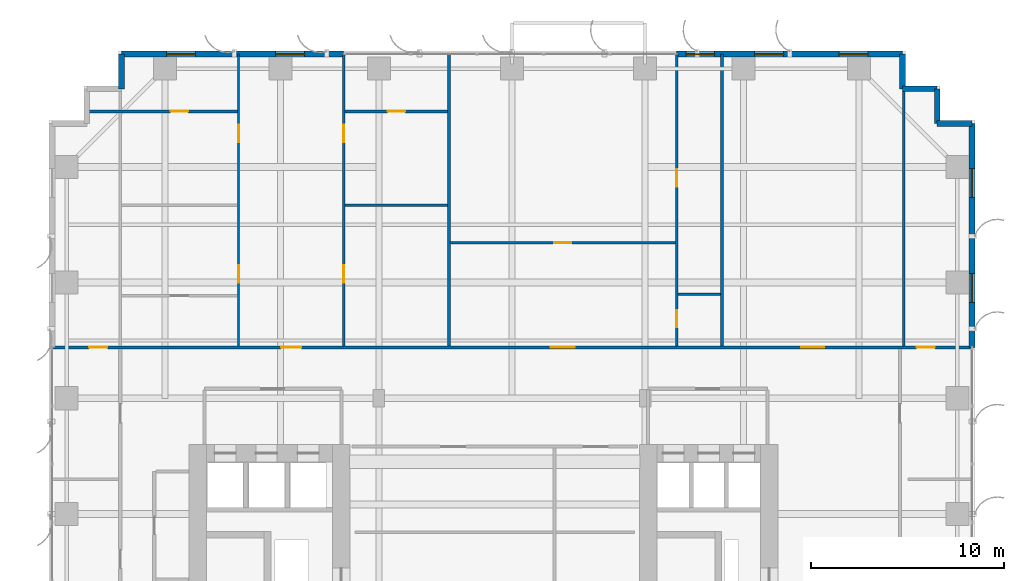
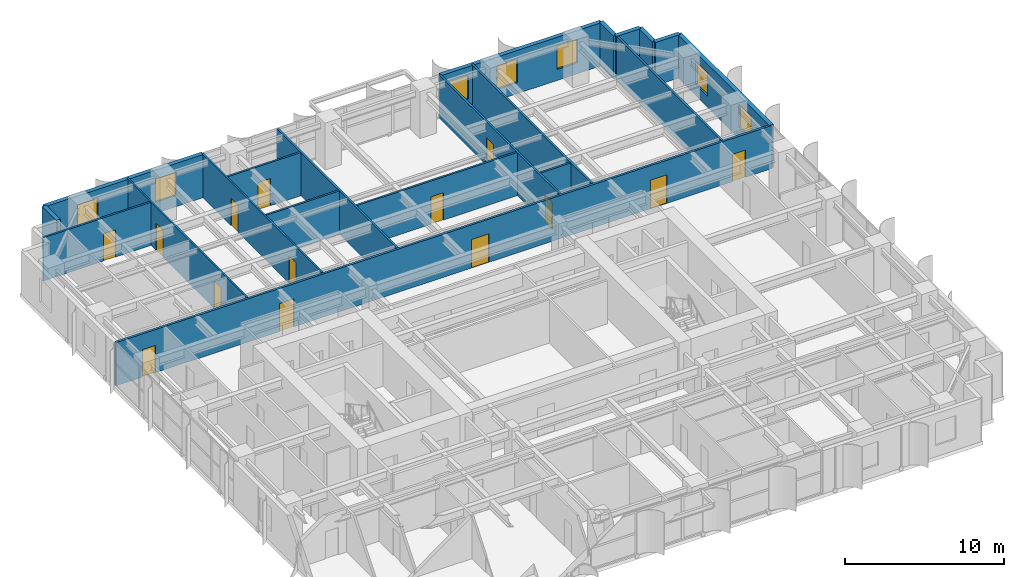
# One storey, part 20 of 25: 20 walls, 14 doors, 7 windows, 21 openings.
"""IFC4 building model written with IfcOpenShell, lengths in metres."""

from ifc_helpers import new_model, si_unit, direction, frame, frame_2d, origin, place, context, subcontext, project, spatial, rectangle, extrude, source, transform, mapped, material, layer, layer_set, type_object, element, fill, save


model = new_model("IFC4")

# Units and contexts
model_context = context("Model", 3, precision=1e-05, world=origin(), true_north=direction((0.0, 1.0)))
body_context = subcontext(model_context, "Body", "Model", "MODEL_VIEW")
ifc_project = project(units=[si_unit("LENGTHUNIT", "METRE"), si_unit("AREAUNIT", "SQUARE_METRE"), si_unit("VOLUMEUNIT", "CUBIC_METRE"), si_unit("PLANEANGLEUNIT", "RADIAN"), si_unit("MASSUNIT", "GRAM", prefix="KILO")], contexts=[model_context])

# Site, building, storey
site_placement = place(None, origin())
site = spatial("IfcSite", under=ifc_project, at=site_placement, CompositionType="ELEMENT")
building_placement = place(site_placement, origin())
building = spatial("IfcBuilding", under=site, at=building_placement, Name="Khoralis Quay Care Tower", CompositionType="ELEMENT")
storey_placement = place(building_placement, frame((0.0, 0.0, 65.699951171875)))
storey = spatial("IfcBuildingStorey", under=building, at=storey_placement, Name="L17", CompositionType="ELEMENT", Elevation=65.699951171875)

# Wall, openings, doors
ifc_material_1 = material(Name="Gypsum plasterboard on acoustic metal stud")
ifc_layer_1 = layer(ifc_material_1, 0.1650390625)
ifc_layer_set_1 = layer_set([ifc_layer_1], Name="Gypsum plasterboard on acoustic metal stud")
wall_type_1 = type_object("IfcWallType", Name="WL-CORR-165", PredefinedType="PARTITIONING", material=ifc_layer_set_1)
wall_1_placement = place(storey_placement, frame((0.14501953125, 32.639892578125, 0.0), z_axis=(0.0, 0.0, 1.0), x_axis=(1.0, 0.0, 0.0)))
wall_1 = element("IfcWall", 1, at=wall_1_placement, inside=storey, type_object=wall_type_1, Name="L17 North Main Corridor Wall", PredefinedType="PARTITIONING", context=body_context, shape_type="SweptSolid", body=[
    extrude(rectangle(XDim=47.7099609375, YDim=0.1650390625, at=frame_2d((23.85498046875, 0.0))), origin(), (0.0, 0.0, 1.0), 3.320068359375),
])
opening_1_placement = place(wall_1_placement, frame((11.8759765625, 0.0, 0.0)))
opening_1 = element("IfcOpeningElement", 2, at=opening_1_placement, cuts=wall_1, Name="Opening UD1", PredefinedType="OPENING", context=body_context, shape_type="SweptSolid", body=[
    extrude(rectangle(XDim=1.050048828125, YDim=2.14990234375, at=frame_2d((0.52490234375, 1.074951171875))), frame((0.0, 0.092529296875, 0.0), z_axis=(0.0, -1.0, 0.0), x_axis=(1.0, 0.0, 0.0)), (0.0, 0.0, 1.0), 0.18505859375),
])
opening_2_placement = place(wall_1_placement, frame((25.864990234375, 0.0, 0.0)))
opening_2 = element("IfcOpeningElement", 3, at=opening_2_placement, cuts=wall_1, Name="Opening CD1", PredefinedType="OPENING", context=body_context, shape_type="SweptSolid", body=[
    extrude(rectangle(XDim=1.25, YDim=2.199951171875, at=frame_2d((0.625, 1.10009765625))), frame((0.0, 0.092529296875, 0.0), z_axis=(0.0, -1.0, 0.0), x_axis=(1.0, 0.0, 0.0)), (0.0, 0.0, 1.0), 0.18505859375),
])
opening_3_placement = place(wall_1_placement, frame((38.860107421875, 0.0, 0.0)))
opening_3 = element("IfcOpeningElement", 4, at=opening_3_placement, cuts=wall_1, Name="Opening FD1", PredefinedType="OPENING", context=body_context, shape_type="SweptSolid", body=[
    extrude(rectangle(XDim=1.199951171875, YDim=2.199951171875, at=frame_2d((0.60009765625, 1.10009765625))), frame((0.0, 0.092529296875, 0.0), z_axis=(0.0, -1.0, 0.0), x_axis=(1.0, 0.0, 0.0)), (0.0, 0.0, 1.0), 0.18505859375),
])
opening_4_placement = place(wall_1_placement, frame((1.919921875, 0.0, 0.0)))
opening_4 = element("IfcOpeningElement", 5, at=opening_4_placement, cuts=wall_1, Name="Opening ID1", PredefinedType="OPENING", context=body_context, shape_type="SweptSolid", body=[
    extrude(rectangle(XDim=0.949951171875, YDim=2.10009765625, at=frame_2d((0.47509765625, 1.050048828125))), frame((0.0, 0.092529296875, 0.0), z_axis=(0.0, -1.0, 0.0), x_axis=(1.0, 0.0, 0.0)), (0.0, 0.0, 1.0), 0.18505859375),
])
opening_5_placement = place(wall_1_placement, frame((44.840087890625, 0.0, 0.0)))
opening_5 = element("IfcOpeningElement", 6, at=opening_5_placement, cuts=wall_1, Name="Opening ID1", PredefinedType="OPENING", context=body_context, shape_type="SweptSolid", body=[
    extrude(rectangle(XDim=0.949951171875, YDim=2.10009765625, at=frame_2d((0.47509765625, 1.050048828125))), frame((0.0, 0.092529296875, 0.0), z_axis=(0.0, -1.0, 0.0), x_axis=(1.0, 0.0, 0.0)), (0.0, 0.0, 1.0), 0.18505859375),
])
ifc_material_2 = material(Name="Fire-rated painted steel", Category="steel")
door_type_1 = type_object("IfcDoorType", Name="DR-FFL-1200X2200", OperationType="NOTDEFINED", PredefinedType="DOOR", material=ifc_material_2)
shared_shape_1 = source(origin(), body_context, "Body", "SweptSolid", [
    extrude(rectangle(XDim=1.199951171875, YDim=2.199951171875, at=frame_2d((0.60009765625, 1.10009765625))), frame((0.0, 0.02490234375, 0.0), z_axis=(0.0, -1.0, 0.0), x_axis=(1.0, 0.0, 0.0)), (0.0, 0.0, 1.0), 0.050048828125),
])
door_1_placement = place(opening_3_placement, origin())
door_1 = element("IfcDoor", 7, at=door_1_placement, inside=storey, type_object=door_type_1, Name="L17 Resident Communal Day Lounge Door", OperationType="DOUBLE_DOOR_SINGLE_SWING", OverallHeight=2.199951171875, OverallWidth=1.199951171875, PredefinedType="DOOR", context=body_context, shape_type="MappedRepresentation", body=[
    mapped(shared_shape_1, transform((0.0, 0.0, 0.0), scale=1.0)),
])
fill(opening_3, door_1)
ifc_material_3 = material(Name="Acoustic hardwood timber", Category="wood")
door_type_2 = type_object("IfcDoorType", Name="DR-CARE-1250X2200", OperationType="NOTDEFINED", PredefinedType="DOOR", material=ifc_material_3)
shared_shape_2 = source(origin(), body_context, "Body", "SweptSolid", [
    extrude(rectangle(XDim=1.25, YDim=2.199951171875, at=frame_2d((0.625, 1.10009765625))), frame((0.0, 0.02490234375, 0.0), z_axis=(0.0, -1.0, 0.0), x_axis=(1.0, 0.0, 0.0)), (0.0, 0.0, 1.0), 0.050048828125),
])
door_2_placement = place(opening_2_placement, origin())
door_2 = element("IfcDoor", 8, at=door_2_placement, inside=storey, type_object=door_type_2, Name="L17 Care Suite NB1 Clinical Door", OperationType="SINGLE_SWING_RIGHT", OverallHeight=2.199951171875, OverallWidth=1.25, PredefinedType="DOOR", context=body_context, shape_type="MappedRepresentation", body=[
    mapped(shared_shape_2, transform((0.0, 0.0, 0.0), scale=1.0)),
])
fill(opening_2, door_2)
door_type_3 = type_object("IfcDoorType", Name="DR-ROOM-950X2100", OperationType="NOTDEFINED", PredefinedType="DOOR", material=ifc_material_3)
shared_shape_3 = source(origin(), body_context, "Body", "SweptSolid", [
    extrude(rectangle(XDim=0.949951171875, YDim=2.10009765625, at=frame_2d((0.47509765625, 1.050048828125))), frame((0.0, 0.02490234375, 0.0), z_axis=(0.0, -1.0, 0.0), x_axis=(1.0, 0.0, 0.0)), (0.0, 0.0, 1.0), 0.050048828125),
])
door_3_placement = place(opening_4_placement, origin())
door_3 = element("IfcDoor", 9, at=door_3_placement, inside=storey, type_object=door_type_3, Name="L17 NW Corner Door", OperationType="SINGLE_SWING_RIGHT", OverallHeight=2.10009765625, OverallWidth=0.949951171875, PredefinedType="DOOR", context=body_context, shape_type="MappedRepresentation", body=[
    mapped(shared_shape_3, transform((0.0, 0.0, 0.0), scale=1.0)),
])
fill(opening_4, door_3)
door_4_placement = place(opening_5_placement, origin())
door_4 = element("IfcDoor", 10, at=door_4_placement, inside=storey, type_object=door_type_3, Name="L17 NE Corner Door", OperationType="SINGLE_SWING_LEFT", OverallHeight=2.10009765625, OverallWidth=0.949951171875, PredefinedType="DOOR", context=body_context, shape_type="MappedRepresentation", body=[
    mapped(shared_shape_3, transform((0.0, 0.0, 0.0), scale=1.0)),
])
fill(opening_5, door_4)
door_type_4 = type_object("IfcDoorType", Name="DR-SUITE-1050X2150", OperationType="NOTDEFINED", PredefinedType="DOOR", material=ifc_material_3)
shared_shape_4 = source(origin(), body_context, "Body", "SweptSolid", [
    extrude(rectangle(XDim=1.050048828125, YDim=2.14990234375, at=frame_2d((0.52490234375, 1.074951171875))), frame((0.0, 0.02490234375, 0.0), z_axis=(0.0, -1.0, 0.0), x_axis=(1.0, 0.0, 0.0)), (0.0, 0.0, 1.0), 0.050048828125),
])
door_5_placement = place(opening_1_placement, origin())
door_5 = element("IfcDoor", 11, at=door_5_placement, inside=storey, type_object=door_type_4, Name="L17 2BR NB0 Entrance", OperationType="SINGLE_SWING_LEFT", OverallHeight=2.14990234375, OverallWidth=1.050048828125, PredefinedType="DOOR", context=body_context, shape_type="MappedRepresentation", body=[
    mapped(shared_shape_4, transform((0.0, 0.0, 0.0), scale=1.0)),
])
fill(opening_1, door_5)

# Wall, openings, windows
ifc_material_4 = material(Name="Precast concrete C45/55", Category="concrete")
ifc_layer_2 = layer(ifc_material_4, 0.300048828125)
ifc_layer_set_2 = layer_set([ifc_layer_2], Name="Precast concrete C45/55")
wall_type_2 = type_object("IfcWallType", Name="WL-EXT-REF-300", PredefinedType="SOLIDWALL", material=ifc_layer_set_2)
wall_2_placement = place(storey_placement, frame((47.85009765625, 32.639892578125, 0.0), z_axis=(0.0, 0.0, 1.0), x_axis=(0.0, 1.0, 0.0)))
wall_2 = element("IfcWall", 12, at=wall_2_placement, inside=storey, type_object=wall_type_2, Name="L17 External Facade Wall WL-EXT-L17-P1-E5B", PredefinedType="SOLIDWALL", context=body_context, shape_type="SweptSolid", body=[
    extrude(rectangle(XDim=11.610107421875, YDim=0.300048828125, at=frame_2d((5.80517578125, 0.0))), origin(), (0.0, 0.0, 1.0), 3.320068359375),
])
opening_6_placement = place(wall_2_placement, frame((2.33251953125, 0.0, 0.85009765625)))
opening_6 = element("IfcOpeningElement", 13, at=opening_6_placement, cuts=wall_2, Name="Opening W3", PredefinedType="OPENING", context=body_context, shape_type="SweptSolid", body=[
    extrude(rectangle(XDim=1.5, YDim=1.800048828125, at=frame_2d((0.75, 0.89990234375))), frame((0.0, 0.16015625, 0.0), z_axis=(0.0, -1.0, 0.0), x_axis=(1.0, 0.0, 0.0)), (0.0, 0.0, 1.0), 0.320068359375),
])
opening_7_placement = place(wall_2_placement, frame((7.777587890625, 0.0, 0.85009765625)))
opening_7 = element("IfcOpeningElement", 14, at=opening_7_placement, cuts=wall_2, Name="Opening W3", PredefinedType="OPENING", context=body_context, shape_type="SweptSolid", body=[
    extrude(rectangle(XDim=1.5, YDim=1.800048828125, at=frame_2d((0.75, 0.89990234375))), frame((0.0, 0.16015625, 0.0), z_axis=(0.0, -1.0, 0.0), x_axis=(1.0, 0.0, 0.0)), (0.0, 0.0, 1.0), 0.320068359375),
])
ifc_material_5 = material(Name="Low-E solar-control double glazing", Category="glass")
window_type = type_object("IfcWindowType", Name="WN-CLIN-1500X1800", PartitioningType="SINGLE_PANEL", PredefinedType="WINDOW", material=ifc_material_5)
shared_shape_5 = source(origin(), body_context, "Body", "SweptSolid", [
    extrude(rectangle(XDim=1.5, YDim=1.800048828125, at=frame_2d((0.75, 0.89990234375))), frame((0.0, 0.030029296875, 0.0), z_axis=(0.0, -1.0, 0.0), x_axis=(1.0, 0.0, 0.0)), (0.0, 0.0, 1.0), 0.06005859375),
])
window_1_placement = place(opening_6_placement, origin())
window_1 = element("IfcWindow", 15, at=window_1_placement, inside=storey, type_object=window_type, Name="WN-L17-P1-E5B Facade Window 01", OverallHeight=1.800048828125, OverallWidth=1.5, PartitioningType="SINGLE_PANEL", PredefinedType="WINDOW", context=body_context, shape_type="MappedRepresentation", body=[
    mapped(shared_shape_5, transform((0.0, 0.0, 0.0), scale=1.0)),
])
fill(opening_6, window_1)
window_2_placement = place(opening_7_placement, origin())
window_2 = element("IfcWindow", 16, at=window_2_placement, inside=storey, type_object=window_type, Name="WN-L17-P1-E5B Facade Window 02", OverallHeight=1.800048828125, OverallWidth=1.5, PartitioningType="SINGLE_PANEL", PredefinedType="WINDOW", context=body_context, shape_type="MappedRepresentation", body=[
    mapped(shared_shape_5, transform((0.0, 0.0, 0.0), scale=1.0)),
])
fill(opening_7, window_2)

# Walls
for number, where, z_axis, x_axis, name in (
    (17, (47.85009765625, 44.25, 0.0), (0.0, 0.0, 1.0), (-1.0, 0.0, 0.0), "L17 External Facade Wall WL-EXT-L17-P1-C6"),
    (18, (46.050048828125, 44.25, 0.0), (0.0, 0.0, 1.0), (0.0, 1.0, 0.0), "L17 External Facade Wall WL-EXT-L17-P1-C7"),
    (19, (46.050048828125, 46.050048828125, 0.0), (0.0, 0.0, 1.0), (-1.0, 0.0, 0.0), "L17 External Facade Wall WL-EXT-L17-P1-C8"),
    (20, (44.25, 46.050048828125, 0.0), (0.0, 0.0, 1.0), (0.0, 1.0, 0.0), "L17 External Facade Wall WL-EXT-L17-P1-C9"),
):
    element("IfcWall", number, at=place(storey_placement, frame(where, z_axis=z_axis, x_axis=x_axis)), inside=storey, type_object=wall_type_2, Name=name, PredefinedType="SOLIDWALL", context=body_context, shape_type="SweptSolid", body=[
        extrude(rectangle(XDim=1.800048828125, YDim=0.300048828125, at=frame_2d((0.89990234375, 0.0))), origin(), (0.0, 0.0, 1.0), 3.320068359375),
    ])

# Wall, openings, windows
wall_3_placement = place(storey_placement, frame((44.25, 47.85009765625, 0.0), z_axis=(0.0, 0.0, 1.0), x_axis=(-1.0, 0.0, 0.0)))
wall_3 = element("IfcWall", 21, at=wall_3_placement, inside=storey, type_object=wall_type_2, Name="L17 External Facade Wall WL-EXT-L17-P1-E10A", PredefinedType="SOLIDWALL", context=body_context, shape_type="SweptSolid", body=[
    extrude(rectangle(XDim=11.7099609375, YDim=0.300048828125, at=frame_2d((5.85498046875, 0.0))), origin(), (0.0, 0.0, 1.0), 3.320068359375),
])
opening_8_placement = place(wall_3_placement, frame((1.794921875, 0.0, 0.85009765625)))
opening_8 = element("IfcOpeningElement", 22, at=opening_8_placement, cuts=wall_3, Name="Opening W3", PredefinedType="OPENING", context=body_context, shape_type="SweptSolid", body=[
    extrude(rectangle(XDim=1.5, YDim=1.800048828125, at=frame_2d((0.75, 0.89990234375))), frame((0.0, 0.16015625, 0.0), z_axis=(0.0, -1.0, 0.0), x_axis=(1.0, 0.0, 0.0)), (0.0, 0.0, 1.0), 0.320068359375),
])
opening_9_placement = place(wall_3_placement, frame((6.1650390625, 0.0, 0.85009765625)))
opening_9 = element("IfcOpeningElement", 23, at=opening_9_placement, cuts=wall_3, Name="Opening W3", PredefinedType="OPENING", context=body_context, shape_type="SweptSolid", body=[
    extrude(rectangle(XDim=1.5, YDim=1.800048828125, at=frame_2d((0.75, 0.89990234375))), frame((0.0, 0.16015625, 0.0), z_axis=(0.0, -1.0, 0.0), x_axis=(1.0, 0.0, 0.0)), (0.0, 0.0, 1.0), 0.320068359375),
])
opening_10_placement = place(wall_3_placement, frame((9.735107421875, 0.0, 0.85009765625)))
opening_10 = element("IfcOpeningElement", 24, at=opening_10_placement, cuts=wall_3, Name="Opening W3", PredefinedType="OPENING", context=body_context, shape_type="SweptSolid", body=[
    extrude(rectangle(XDim=1.5, YDim=1.800048828125, at=frame_2d((0.75, 0.89990234375))), frame((0.0, 0.16015625, 0.0), z_axis=(0.0, -1.0, 0.0), x_axis=(1.0, 0.0, 0.0)), (0.0, 0.0, 1.0), 0.320068359375),
])
window_3_placement = place(opening_8_placement, origin())
window_3 = element("IfcWindow", 25, at=window_3_placement, inside=storey, type_object=window_type, Name="WN-L17-P1-E10A Facade Window 01", OverallHeight=1.800048828125, OverallWidth=1.5, PartitioningType="SINGLE_PANEL", PredefinedType="WINDOW", context=body_context, shape_type="MappedRepresentation", body=[
    mapped(shared_shape_5, transform((0.0, 0.0, 0.0), scale=1.0)),
])
fill(opening_8, window_3)
window_4_placement = place(opening_9_placement, origin())
window_4 = element("IfcWindow", 26, at=window_4_placement, inside=storey, type_object=window_type, Name="WN-L17-P1-E10A Facade Window 02", OverallHeight=1.800048828125, OverallWidth=1.5, PartitioningType="SINGLE_PANEL", PredefinedType="WINDOW", context=body_context, shape_type="MappedRepresentation", body=[
    mapped(shared_shape_5, transform((0.0, 0.0, 0.0), scale=1.0)),
])
fill(opening_9, window_4)
window_5_placement = place(opening_10_placement, origin())
window_5 = element("IfcWindow", 27, at=window_5_placement, inside=storey, type_object=window_type, Name="WN-L17-P1-E10A Facade Window 03", OverallHeight=1.800048828125, OverallWidth=1.5, PartitioningType="SINGLE_PANEL", PredefinedType="WINDOW", context=body_context, shape_type="MappedRepresentation", body=[
    mapped(shared_shape_5, transform((0.0, 0.0, 0.0), scale=1.0)),
])
fill(opening_10, window_5)

wall_4_placement = place(storey_placement, frame((15.27392578125, 47.85009765625, 0.0), z_axis=(0.0, 0.0, 1.0), x_axis=(-1.0, 0.0, 0.0)))
wall_4 = element("IfcWall", 28, at=wall_4_placement, inside=storey, type_object=wall_type_2, Name="L17 External Facade Wall WL-EXT-L17-P1-E10B", PredefinedType="SOLIDWALL", context=body_context, shape_type="SweptSolid", body=[
    extrude(rectangle(XDim=11.52392578125, YDim=0.300048828125, at=frame_2d((5.761962890625, 0.0))), origin(), (0.0, 0.0, 1.0), 3.320068359375),
])
opening_11_placement = place(wall_4_placement, frame((2.028076171875, 0.0, 0.85009765625)))
opening_11 = element("IfcOpeningElement", 29, at=opening_11_placement, cuts=wall_4, Name="Opening W3", PredefinedType="OPENING", context=body_context, shape_type="SweptSolid", body=[
    extrude(rectangle(XDim=1.5, YDim=1.800048828125, at=frame_2d((0.75, 0.89990234375))), frame((0.0, 0.16015625, 0.0), z_axis=(0.0, -1.0, 0.0), x_axis=(1.0, 0.0, 0.0)), (0.0, 0.0, 1.0), 0.320068359375),
])
opening_12_placement = place(wall_4_placement, frame((7.68994140625, 0.0, 0.85009765625)))
opening_12 = element("IfcOpeningElement", 30, at=opening_12_placement, cuts=wall_4, Name="Opening W3", PredefinedType="OPENING", context=body_context, shape_type="SweptSolid", body=[
    extrude(rectangle(XDim=1.5, YDim=1.800048828125, at=frame_2d((0.75, 0.89990234375))), frame((0.0, 0.16015625, 0.0), z_axis=(0.0, -1.0, 0.0), x_axis=(1.0, 0.0, 0.0)), (0.0, 0.0, 1.0), 0.320068359375),
])
window_6_placement = place(opening_11_placement, origin())
window_6 = element("IfcWindow", 31, at=window_6_placement, inside=storey, type_object=window_type, Name="WN-L17-P1-E10B Facade Window 01", OverallHeight=1.800048828125, OverallWidth=1.5, PartitioningType="SINGLE_PANEL", PredefinedType="WINDOW", context=body_context, shape_type="MappedRepresentation", body=[
    mapped(shared_shape_5, transform((0.0, 0.0, 0.0), scale=1.0)),
])
fill(opening_11, window_6)
window_7_placement = place(opening_12_placement, origin())
window_7 = element("IfcWindow", 32, at=window_7_placement, inside=storey, type_object=window_type, Name="WN-L17-P1-E10B Facade Window 02", OverallHeight=1.800048828125, OverallWidth=1.5, PartitioningType="SINGLE_PANEL", PredefinedType="WINDOW", context=body_context, shape_type="MappedRepresentation", body=[
    mapped(shared_shape_5, transform((0.0, 0.0, 0.0), scale=1.0)),
])
fill(opening_12, window_7)

# Wall
wall_5_placement = place(storey_placement, frame((3.75, 47.85009765625, 0.0), z_axis=(0.0, 0.0, 1.0), x_axis=(0.0, -1.0, 0.0)))
element("IfcWall", 33, at=wall_5_placement, inside=storey, type_object=wall_type_2, Name="L17 External Facade Wall WL-EXT-L17-P1-C11", PredefinedType="SOLIDWALL", context=body_context, shape_type="SweptSolid", body=[
    extrude(rectangle(XDim=1.800048828125, YDim=0.300048828125, at=frame_2d((0.89990234375, 0.0))), origin(), (0.0, 0.0, 1.0), 3.320068359375),
])

# Wall, openings, doors
ifc_layer_3 = layer(ifc_material_1, 0.114990234375)
ifc_layer_set_3 = layer_set([ifc_layer_3], Name="Gypsum plasterboard on acoustic metal stud")
wall_type_3 = type_object("IfcWallType", Name="WL-PART-115", PredefinedType="PARTITIONING", material=ifc_layer_set_3)
wall_6_placement = place(storey_placement, frame((9.818115234375, 32.717529296875, 0.0), z_axis=(0.0, 0.0, 1.0), x_axis=(0.0, 1.0, 0.0)))
wall_6 = element("IfcWall", 34, at=wall_6_placement, inside=storey, type_object=wall_type_3, Name="L17 2BR 0 Left Wall", PredefinedType="PARTITIONING", context=body_context, shape_type="SweptSolid", body=[
    extrude(rectangle(XDim=15.137451171875, YDim=0.114990234375, at=frame_2d((7.56884765625, 0.0))), origin(), (0.0, 0.0, 1.0), 3.320068359375),
])
opening_13_placement = place(wall_6_placement, frame((10.56396484375, 0.0, 0.0)))
opening_13 = element("IfcOpeningElement", 35, at=opening_13_placement, cuts=wall_6, Name="Opening WD1", PredefinedType="OPENING", context=body_context, shape_type="SweptSolid", body=[
    extrude(rectangle(XDim=0.89990234375, YDim=2.10009765625, at=frame_2d((0.449951171875, 1.050048828125))), frame((0.0, 0.0673828125, 0.0), z_axis=(0.0, -1.0, 0.0), x_axis=(1.0, 0.0, 0.0)), (0.0, 0.0, 1.0), 0.135009765625),
])
opening_14_placement = place(wall_6_placement, frame((3.27392578125, 0.0, 0.0)))
opening_14 = element("IfcOpeningElement", 36, at=opening_14_placement, cuts=wall_6, Name="Opening WD1", PredefinedType="OPENING", context=body_context, shape_type="SweptSolid", body=[
    extrude(rectangle(XDim=0.89990234375, YDim=2.10009765625, at=frame_2d((0.449951171875, 1.050048828125))), frame((0.0, 0.0673828125, 0.0), z_axis=(0.0, -1.0, 0.0), x_axis=(1.0, 0.0, 0.0)), (0.0, 0.0, 1.0), 0.135009765625),
])
door_type_5 = type_object("IfcDoorType", Name="DR-BATH-900X2100", OperationType="NOTDEFINED", PredefinedType="DOOR", material=ifc_material_3)
shared_shape_6 = source(origin(), body_context, "Body", "SweptSolid", [
    extrude(rectangle(XDim=0.89990234375, YDim=2.10009765625, at=frame_2d((0.449951171875, 1.050048828125))), frame((0.0, 0.02490234375, 0.0), z_axis=(0.0, -1.0, 0.0), x_axis=(1.0, 0.0, 0.0)), (0.0, 0.0, 1.0), 0.050048828125),
])
door_6_placement = place(opening_13_placement, origin())
door_6 = element("IfcDoor", 37, at=door_6_placement, inside=storey, type_object=door_type_5, Name="L17 2BR BD1 Door", OperationType="SINGLE_SWING_RIGHT", OverallHeight=2.10009765625, OverallWidth=0.89990234375, PredefinedType="DOOR", context=body_context, shape_type="MappedRepresentation", body=[
    mapped(shared_shape_6, transform((0.0, 0.0, 0.0), scale=1.0)),
])
fill(opening_13, door_6)
door_7_placement = place(opening_14_placement, origin())
door_7 = element("IfcDoor", 38, at=door_7_placement, inside=storey, type_object=door_type_5, Name="L17 2BR BTH Door", OperationType="SINGLE_SWING_LEFT", OverallHeight=2.10009765625, OverallWidth=0.89990234375, PredefinedType="DOOR", context=body_context, shape_type="MappedRepresentation", body=[
    mapped(shared_shape_6, transform((0.0, 0.0, 0.0), scale=1.0)),
])
fill(opening_14, door_7)

wall_7_placement = place(storey_placement, frame((15.27392578125, 32.717529296875, 0.0), z_axis=(0.0, 0.0, 1.0), x_axis=(0.0, 1.0, 0.0)))
wall_7 = element("IfcWall", 39, at=wall_7_placement, inside=storey, type_object=wall_type_3, Name="L17 2BR 0 Right Wall", PredefinedType="PARTITIONING", context=body_context, shape_type="SweptSolid", body=[
    extrude(rectangle(XDim=15.137451171875, YDim=0.114990234375, at=frame_2d((7.56884765625, 0.0))), origin(), (0.0, 0.0, 1.0), 3.320068359375),
])
opening_15_placement = place(wall_7_placement, frame((10.56396484375, 0.0, 0.0)))
opening_15 = element("IfcOpeningElement", 40, at=opening_15_placement, cuts=wall_7, Name="Opening WD1", PredefinedType="OPENING", context=body_context, shape_type="SweptSolid", body=[
    extrude(rectangle(XDim=0.89990234375, YDim=2.10009765625, at=frame_2d((0.449951171875, 1.050048828125))), frame((0.0, 0.0673828125, 0.0), z_axis=(0.0, -1.0, 0.0), x_axis=(1.0, 0.0, 0.0)), (0.0, 0.0, 1.0), 0.135009765625),
])
opening_16_placement = place(wall_7_placement, frame((3.27392578125, 0.0, 0.0)))
opening_16 = element("IfcOpeningElement", 41, at=opening_16_placement, cuts=wall_7, Name="Opening WD1", PredefinedType="OPENING", context=body_context, shape_type="SweptSolid", body=[
    extrude(rectangle(XDim=0.89990234375, YDim=2.10009765625, at=frame_2d((0.449951171875, 1.050048828125))), frame((0.0, 0.0673828125, 0.0), z_axis=(0.0, -1.0, 0.0), x_axis=(1.0, 0.0, 0.0)), (0.0, 0.0, 1.0), 0.135009765625),
])
door_8_placement = place(opening_15_placement, frame((0.89990234375, 0.0, 0.0), z_axis=(0.0, 0.0, 1.0), x_axis=(-1.0, 0.0, 0.0)))
door_8 = element("IfcDoor", 42, at=door_8_placement, inside=storey, type_object=door_type_5, Name="L17 2BR BD2 Door", OperationType="SINGLE_SWING_RIGHT", OverallHeight=2.10009765625, OverallWidth=0.89990234375, PredefinedType="DOOR", context=body_context, shape_type="MappedRepresentation", body=[
    mapped(shared_shape_6, transform((0.0, 0.0, 0.0), scale=1.0)),
])
fill(opening_15, door_8)
door_9_placement = place(opening_16_placement, frame((0.89990234375, 0.0, 0.0), z_axis=(0.0, 0.0, 1.0), x_axis=(-1.0, 0.0, 0.0)))
door_9 = element("IfcDoor", 43, at=door_9_placement, inside=storey, type_object=door_type_5, Name="L17 2BR KIT Door", OperationType="SINGLE_SWING_LEFT", OverallHeight=2.10009765625, OverallWidth=0.89990234375, PredefinedType="DOOR", context=body_context, shape_type="MappedRepresentation", body=[
    mapped(shared_shape_6, transform((0.0, 0.0, 0.0), scale=1.0)),
])
fill(opening_16, door_9)

# Wall
ifc_material_6 = material(Name="Moisture-resistant gypsum and ceramic tile")
ifc_layer_4 = layer(ifc_material_6, 0.280029296875)
ifc_layer_set_4 = layer_set([ifc_layer_4], Name="Moisture-resistant gypsum and ceramic tile")
wall_type_4 = type_object("IfcWallType", Name="WL-PLUMB-280", PredefinedType="PLUMBINGWALL", material=ifc_layer_set_4)
wall_8_placement = place(storey_placement, frame((15.326416015625, 40.012939453125, 0.0), z_axis=(0.0, 0.0, 1.0), x_axis=(1.0, 0.0, 0.0)))
element("IfcWall", 44, at=wall_8_placement, inside=storey, type_object=wall_type_4, Name="L17 2BR 0 Right Split", PredefinedType="PLUMBINGWALL", context=body_context, shape_type="SweptSolid", body=[
    extrude(rectangle(XDim=5.338623046875, YDim=0.139892578125, at=frame_2d((2.66943359375, 0.0))), origin(), (0.0, 0.0, 1.0), 3.320068359375),
])

# Wall, openings, doors
wall_9_placement = place(storey_placement, frame((32.5400390625, 32.717529296875, 0.0), z_axis=(0.0, 0.0, 1.0), x_axis=(0.0, 1.0, 0.0)))
wall_9 = element("IfcWall", 45, at=wall_9_placement, inside=storey, type_object=wall_type_4, Name="L17 Care Suite 1 En-Suite Wall V", PredefinedType="PLUMBINGWALL", context=body_context, shape_type="SweptSolid", body=[
    extrude(rectangle(XDim=15.137451171875, YDim=0.139892578125, at=frame_2d((7.56884765625, 0.0))), origin(), (0.0, 0.0, 1.0), 3.320068359375),
])
opening_17_placement = place(wall_9_placement, frame((0.96240234375, 0.0, 0.0)))
opening_17 = element("IfcOpeningElement", 46, at=opening_17_placement, cuts=wall_9, Name="Opening WD1", PredefinedType="OPENING", context=body_context, shape_type="SweptSolid", body=[
    extrude(rectangle(XDim=0.89990234375, YDim=2.10009765625, at=frame_2d((0.449951171875, 1.050048828125))), frame((0.0, 0.080078125, 0.0), z_axis=(0.0, -1.0, 0.0), x_axis=(1.0, 0.0, 0.0)), (0.0, 0.0, 1.0), 0.159912109375),
])
opening_18_placement = place(wall_9_placement, frame((8.25244140625, 0.0, 0.0)))
opening_18 = element("IfcOpeningElement", 47, at=opening_18_placement, cuts=wall_9, Name="Opening WD1", PredefinedType="OPENING", context=body_context, shape_type="SweptSolid", body=[
    extrude(rectangle(XDim=0.89990234375, YDim=2.10009765625, at=frame_2d((0.449951171875, 1.050048828125))), frame((0.0, 0.080078125, 0.0), z_axis=(0.0, -1.0, 0.0), x_axis=(1.0, 0.0, 0.0)), (0.0, 0.0, 1.0), 0.159912109375),
])
door_10_placement = place(opening_17_placement, frame((0.89990234375, 0.0, 0.0), z_axis=(0.0, 0.0, 1.0), x_axis=(-1.0, 0.0, 0.0)))
door_10 = element("IfcDoor", 48, at=door_10_placement, inside=storey, type_object=door_type_5, Name="L17 Care CENS Door", OperationType="SINGLE_SWING_LEFT", OverallHeight=2.10009765625, OverallWidth=0.89990234375, PredefinedType="DOOR", context=body_context, shape_type="MappedRepresentation", body=[
    mapped(shared_shape_6, transform((0.0, 0.0, 0.0), scale=1.0)),
])
fill(opening_17, door_10)
door_11_placement = place(opening_18_placement, frame((0.89990234375, 0.0, 0.0), z_axis=(0.0, 0.0, 1.0), x_axis=(-1.0, 0.0, 0.0)))
door_11 = element("IfcDoor", 49, at=door_11_placement, inside=storey, type_object=door_type_5, Name="L17 Care CSIT Door", OperationType="SINGLE_SWING_RIGHT", OverallHeight=2.10009765625, OverallWidth=0.89990234375, PredefinedType="DOOR", context=body_context, shape_type="MappedRepresentation", body=[
    mapped(shared_shape_6, transform((0.0, 0.0, 0.0), scale=1.0)),
])
fill(opening_18, door_11)

# Walls
wall_10_placement = place(storey_placement, frame((32.60498046875, 35.389892578125, 0.0), z_axis=(0.0, 0.0, 1.0), x_axis=(1.0, 0.0, 0.0)))
element("IfcWall", 50, at=wall_10_placement, inside=storey, type_object=wall_type_4, Name="L17 Care Suite 1 En-Suite Wall H", PredefinedType="PLUMBINGWALL", context=body_context, shape_type="SweptSolid", body=[
    extrude(rectangle(XDim=2.219970703125, YDim=0.139892578125, at=frame_2d((1.10986328125, 0.0))), origin(), (0.0, 0.0, 1.0), 3.320068359375),
])
ifc_layer_5 = layer(ifc_material_1, 0.139892578125)
ifc_layer_set_5 = layer_set([ifc_layer_5], Name="Gypsum plasterboard on acoustic metal stud")
wall_type_5 = type_object("IfcWallType", Name="WL-UNIT-140", PredefinedType="PARTITIONING", material=ifc_layer_set_5)
for number, where, z_axis, x_axis, name in (
    (51, (20.72998046875, 32.717529296875, 0.0), (0.0, 0.0, 1.0), (0.0, 1.0, 0.0), "L17 NB Demising Wall 1"),
    (52, (34.889892578125, 32.717529296875, 0.0), (0.0, 0.0, 1.0), (0.0, 1.0, 0.0), "L17 NB Demising Wall 2"),
):
    element("IfcWall", number, at=place(storey_placement, frame(where, z_axis=z_axis, x_axis=x_axis)), inside=storey, type_object=wall_type_5, Name=name, PredefinedType="PARTITIONING", context=body_context, shape_type="SweptSolid", body=[
        extrude(rectangle(XDim=15.137451171875, YDim=0.139892578125, at=frame_2d((7.56884765625, 0.0))), origin(), (0.0, 0.0, 1.0), 3.320068359375),
    ])
wall_11_placement = place(storey_placement, frame((44.320068359375, 32.717529296875, 0.0), z_axis=(0.0, 0.0, 1.0), x_axis=(0.0, 1.0, 0.0)))
element("IfcWall", 53, at=wall_11_placement, inside=storey, type_object=wall_type_5, Name="L17 NB Demising Wall 3", PredefinedType="PARTITIONING", context=body_context, shape_type="SweptSolid", body=[
    extrude(rectangle(XDim=13.33740234375, YDim=0.139892578125, at=frame_2d((6.668701171875, 0.0))), origin(), (0.0, 0.0, 1.0), 3.320068359375),
])

# Wall, opening, door
wall_12_placement = place(storey_placement, frame((1.945068359375, 44.8798828125, 0.0), z_axis=(0.0, 0.0, 1.0), x_axis=(1.0, 0.0, 0.0)))
wall_12 = element("IfcWall", 54, at=wall_12_placement, inside=storey, type_object=wall_type_5, Name="Family Apartment Master Bedroom L17-NB0 Sub-Partition", PredefinedType="PARTITIONING", context=body_context, shape_type="SweptSolid", body=[
    extrude(rectangle(XDim=7.8203125, YDim=0.139892578125, at=frame_2d((3.91015625, 0.0))), origin(), (0.0, 0.0, 1.0), 3.320068359375),
])
opening_19_placement = place(wall_12_placement, frame((4.35400390625, 0.0, 0.0)))
opening_19 = element("IfcOpeningElement", 55, at=opening_19_placement, cuts=wall_12, Name="Opening WD1", PredefinedType="OPENING", context=body_context, shape_type="SweptSolid", body=[
    extrude(rectangle(XDim=0.89990234375, YDim=2.10009765625, at=frame_2d((0.449951171875, 1.050048828125))), frame((0.0, 0.080078125, 0.0), z_axis=(0.0, -1.0, 0.0), x_axis=(1.0, 0.0, 0.0)), (0.0, 0.0, 1.0), 0.159912109375),
])
door_12_placement = place(opening_19_placement, frame((0.89990234375, 0.0, 0.0), z_axis=(0.0, 0.0, 1.0), x_axis=(-1.0, 0.0, 0.0)))
door_12 = element("IfcDoor", 56, at=door_12_placement, inside=storey, type_object=door_type_5, Name="Private Study & Reading Alcove BD10 Door", OperationType="SINGLE_SWING_LEFT", OverallHeight=2.10009765625, OverallWidth=0.89990234375, PredefinedType="DOOR", context=body_context, shape_type="MappedRepresentation", body=[
    mapped(shared_shape_6, transform((0.0, 0.0, 0.0), scale=1.0)),
])
fill(opening_19, door_12)

wall_13_placement = place(storey_placement, frame((15.326416015625, 44.8798828125, 0.0), z_axis=(0.0, 0.0, 1.0), x_axis=(1.0, 0.0, 0.0)))
wall_13 = element("IfcWall", 57, at=wall_13_placement, inside=storey, type_object=wall_type_5, Name="Family Apartment Guest Bedroom L17-NB0 Sub-Partition", PredefinedType="PARTITIONING", context=body_context, shape_type="SweptSolid", body=[
    extrude(rectangle(XDim=5.338623046875, YDim=0.139892578125, at=frame_2d((2.66943359375, 0.0))), origin(), (0.0, 0.0, 1.0), 3.320068359375),
])
opening_20_placement = place(wall_13_placement, frame((2.2255859375, 0.0, 0.0)))
opening_20 = element("IfcOpeningElement", 58, at=opening_20_placement, cuts=wall_13, Name="Opening WD1", PredefinedType="OPENING", context=body_context, shape_type="SweptSolid", body=[
    extrude(rectangle(XDim=0.89990234375, YDim=2.10009765625, at=frame_2d((0.449951171875, 1.050048828125))), frame((0.0, 0.080078125, 0.0), z_axis=(0.0, -1.0, 0.0), x_axis=(1.0, 0.0, 0.0)), (0.0, 0.0, 1.0), 0.159912109375),
])
door_13_placement = place(opening_20_placement, frame((0.89990234375, 0.0, 0.0), z_axis=(0.0, 0.0, 1.0), x_axis=(-1.0, 0.0, 0.0)))
door_13 = element("IfcDoor", 59, at=door_13_placement, inside=storey, type_object=door_type_5, Name="Private Study & Reading Alcove BD20 Door", OperationType="SINGLE_SWING_LEFT", OverallHeight=2.10009765625, OverallWidth=0.89990234375, PredefinedType="DOOR", context=body_context, shape_type="MappedRepresentation", body=[
    mapped(shared_shape_6, transform((0.0, 0.0, 0.0), scale=1.0)),
])
fill(opening_20, door_13)

wall_14_placement = place(storey_placement, frame((20.794921875, 38.070068359375, 0.0), z_axis=(0.0, 0.0, 1.0), x_axis=(1.0, 0.0, 0.0)))
wall_14 = element("IfcWall", 60, at=wall_14_placement, inside=storey, type_object=wall_type_5, Name="Skilled Care Bedroom L17-NB1 Sub-Partition", PredefinedType="PARTITIONING", context=body_context, shape_type="SweptSolid", body=[
    extrude(rectangle(XDim=11.68017578125, YDim=0.139892578125, at=frame_2d((5.840087890625, 0.0))), origin(), (0.0, 0.0, 1.0), 3.320068359375),
])
opening_21_placement = place(wall_14_placement, frame((5.389892578125, 0.0, 0.0)))
opening_21 = element("IfcOpeningElement", 61, at=opening_21_placement, cuts=wall_14, Name="Opening WD1", PredefinedType="OPENING", context=body_context, shape_type="SweptSolid", body=[
    extrude(rectangle(XDim=0.89990234375, YDim=2.10009765625, at=frame_2d((0.449951171875, 1.050048828125))), frame((0.0, 0.080078125, 0.0), z_axis=(0.0, -1.0, 0.0), x_axis=(1.0, 0.0, 0.0)), (0.0, 0.0, 1.0), 0.159912109375),
])
door_14_placement = place(opening_21_placement, frame((0.89990234375, 0.0, 0.0), z_axis=(0.0, 0.0, 1.0), x_axis=(-1.0, 0.0, 0.0)))
door_14 = element("IfcDoor", 62, at=door_14_placement, inside=storey, type_object=door_type_5, Name="Private Study & Reading Alcove ARE1 Door", OperationType="SINGLE_SWING_LEFT", OverallHeight=2.10009765625, OverallWidth=0.89990234375, PredefinedType="DOOR", context=body_context, shape_type="MappedRepresentation", body=[
    mapped(shared_shape_6, transform((0.0, 0.0, 0.0), scale=1.0)),
])
fill(opening_21, door_14)

save(model, "model.ifc")
